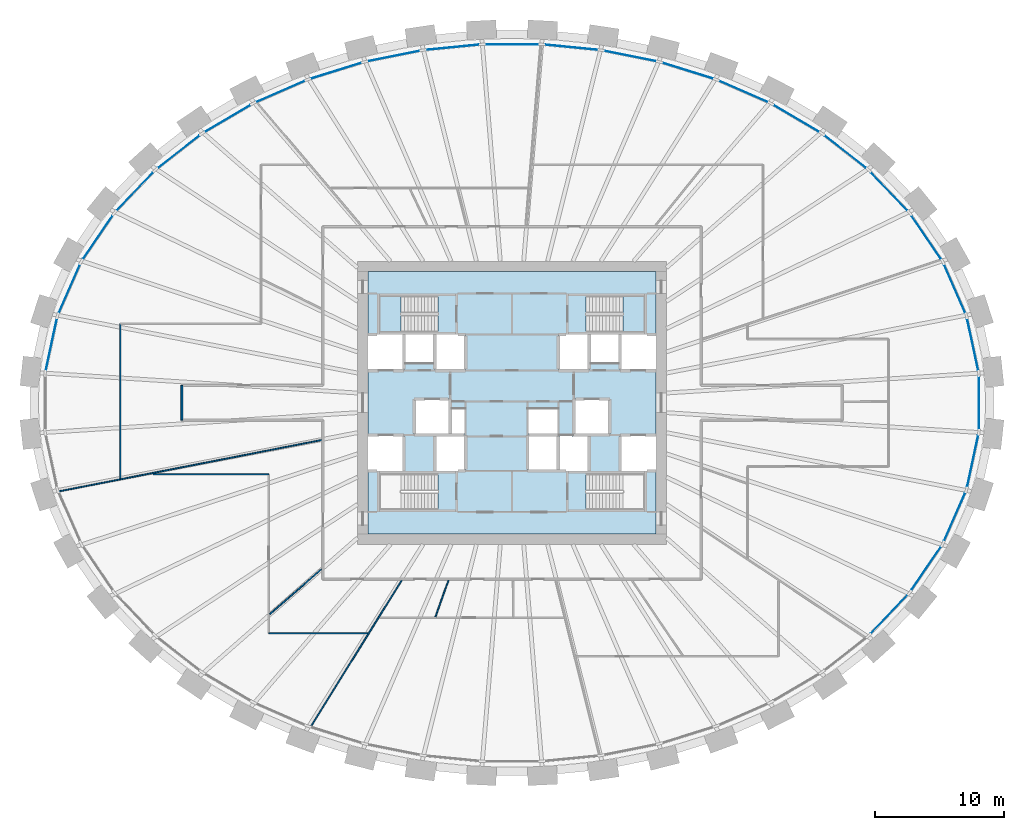
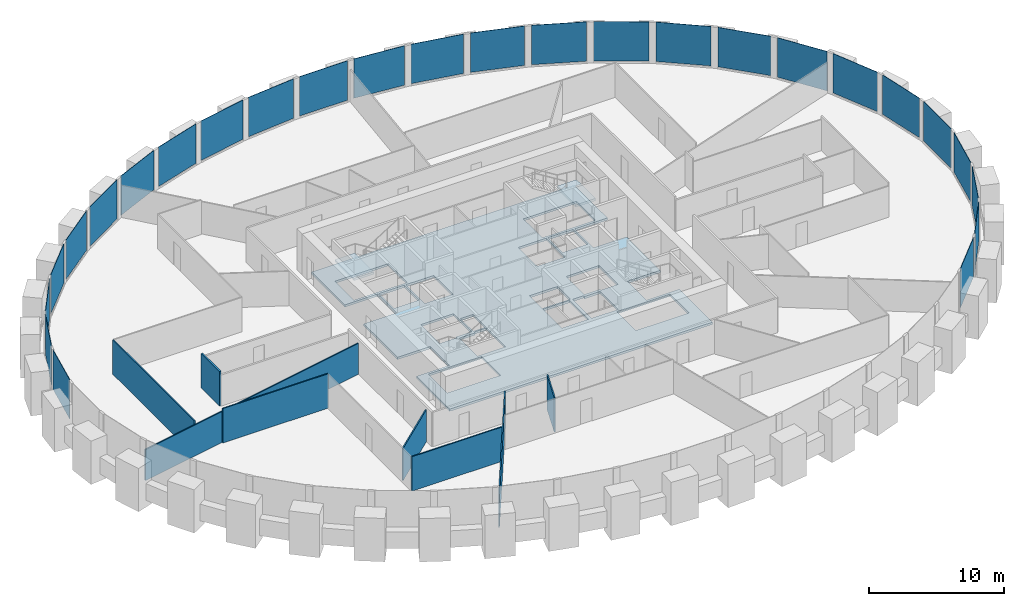
# One storey, part 5 of 10: 26 plates, 8 walls, 3 slabs, 3 elements without a shape of their own.
"""IFC4 building model written with IfcOpenShell, lengths in metres."""

import ifcopenshell
import ifcopenshell.guid

model = None  # the IFC model being written
_history = None  # IfcOwnerHistory: only IFC2X3 demands one
_inside = {}  # id of a spatial element -> (the spatial element, [elements in it])
_under = {}  # id of a project, library or spatial element -> (it, [spatial elements below it])
_declared = {}  # id of a project -> (the project, [libraries it declares])
_typed = {}  # id of a type object -> (the type object, [elements of that type])
_made_of = {}  # id of a material, layer set ... -> (it, [elements and type objects made of it])


def new_model(schema):
    """Start an empty IFC model of exactly this schema.

    Asked for "IFC4X3", IfcOpenShell would pick the latest addendum, in which some entities
    have other attributes; the version numbers below select the first issue.
    IFC2X3 requires an IfcOwnerHistory on every rooted entity: one is made here for all.
    """
    global model, _history
    if schema == "IFC4X3":
        model = ifcopenshell.file(schema_version=(4, 3, 0, 0))
    else:
        model = ifcopenshell.file(schema=schema)
    _inside.clear()
    _under.clear()
    _declared.clear()
    _typed.clear()
    _made_of.clear()
    _history = None
    if model.schema == "IFC2X3":
        org = make("IfcOrganization", Name="unknown")
        user = make(
            "IfcPersonAndOrganization",
            ThePerson=make("IfcPerson", FamilyName="unknown"),
            TheOrganization=org,
        )
        app = make(
            "IfcApplication",
            ApplicationDeveloper=org,
            Version="unknown",
            ApplicationFullName="unknown",
            ApplicationIdentifier="unknown",
        )
        _history = make(
            "IfcOwnerHistory",
            OwningUser=user,
            OwningApplication=app,
            ChangeAction="ADDED",
            CreationDate=0,
        )
    return model


def make(cls, **values):
    """One entity of the class cls with the attributes given. An attribute that is None is left unset."""
    return model.create_entity(
        cls, **{name: value for name, value in values.items() if value is not None}
    )


def rooted(cls, **values):
    """An entity with a GlobalId (a new one), such as an element, a storey or a relation."""
    return make(cls, GlobalId=ifcopenshell.guid.new(), OwnerHistory=_history, **values)


def si_unit(unit_type, name, prefix=None):
    """IfcSIUnit, for example si_unit("LENGTHUNIT", "METRE", prefix="MILLI")."""
    return make("IfcSIUnit", UnitType=unit_type, Prefix=prefix, Name=name)


def assignment(units):
    """IfcUnitAssignment: the units of a project."""
    return None if units is None else make("IfcUnitAssignment", Units=units)


def point(xyz):
    """IfcCartesianPoint."""
    return None if xyz is None else make("IfcCartesianPoint", Coordinates=xyz)


def direction(xyz):
    """IfcDirection."""
    return None if xyz is None else make("IfcDirection", DirectionRatios=xyz)


def frame(location, z_axis=None, x_axis=None):
    """IfcAxis2Placement3D, a coordinate frame: its origin and axes. An axis left out is left unset."""
    return make(
        "IfcAxis2Placement3D",
        Location=point(location),
        Axis=direction(z_axis),
        RefDirection=direction(x_axis),
    )


def frame_2d(location, x_axis=None):
    """IfcAxis2Placement2D, a coordinate frame in the plane: its origin and x axis."""
    return make(
        "IfcAxis2Placement2D", Location=point(location), RefDirection=direction(x_axis)
    )


def origin():
    """The frame at (0, 0, 0) with its axes left unset."""
    return frame((0.0, 0.0, 0.0))


def origin_2d():
    """The frame at (0, 0) in the plane with its x axis left unset."""
    return frame_2d((0.0, 0.0))


def place(relative_to, where):
    """IfcLocalPlacement: puts the frame where relative to a parent placement (None: the world)."""
    return make(
        "IfcLocalPlacement", PlacementRelTo=relative_to, RelativePlacement=where
    )


def context(
    kind, dimensions, precision=None, world=None, true_north=None, identifier=None
):
    """IfcGeometricRepresentationContext, for example the 3D "Model" context."""
    return make(
        "IfcGeometricRepresentationContext",
        ContextIdentifier=identifier,
        ContextType=kind,
        CoordinateSpaceDimension=dimensions,
        Precision=precision,
        WorldCoordinateSystem=world,
        TrueNorth=true_north,
    )


def subcontext(parent, identifier, kind, view, scale=None):
    """IfcGeometricRepresentationSubContext, for example "Body" below "Model"."""
    return make(
        "IfcGeometricRepresentationSubContext",
        ContextIdentifier=identifier,
        ContextType=kind,
        ParentContext=parent,
        TargetScale=scale,
        TargetView=view,
    )


def project(units=None, contexts=None):
    """IfcProject with its units and contexts."""
    return rooted(
        "IfcProject",
        Name="project",
        RepresentationContexts=contexts,
        UnitsInContext=assignment(units),
    )


def spatial(cls, under=None, at=None, **own):
    """A site, building, storey or space (cls), placed at a placement, below another one or the project."""
    s = rooted(cls, ObjectPlacement=at, **own)
    if under is not None:
        _under.setdefault(under.id(), (under, []))[1].append(s)
    return s


def polyline(points):
    """IfcPolyline through the points."""
    return make("IfcPolyline", Points=[point(p) for p in points])


def profile(cls, at=None, kind="AREA", **sizes):
    """A parametric profile (cls). Its sizes go by their IFC names, for example OverallWidth=200.0."""
    return make(cls, ProfileType=kind, Position=at, **sizes)


def rectangle(**sizes):
    """IfcRectangleProfileDef."""
    return profile("IfcRectangleProfileDef", **sizes)


def outline(outer, holes=None, kind="AREA"):
    """IfcArbitraryClosedProfileDef: a profile drawn as a closed curve; with holes, ...WithVoids."""
    if holes is None:
        return make("IfcArbitraryClosedProfileDef", ProfileType=kind, OuterCurve=outer)
    return make(
        "IfcArbitraryProfileDefWithVoids",
        ProfileType=kind,
        OuterCurve=outer,
        InnerCurves=holes,
    )


def extrude(swept, where, along, depth):
    """IfcExtrudedAreaSolid: the profile swept, set in the frame where, extruded along a direction by depth."""
    return make(
        "IfcExtrudedAreaSolid",
        SweptArea=swept,
        Position=where,
        ExtrudedDirection=direction(along),
        Depth=depth,
    )


def shape(context_of_items, identifier, shape_type, items):
    """IfcShapeRepresentation: the items that make up one representation, for example the "Body"."""
    return make(
        "IfcShapeRepresentation",
        ContextOfItems=context_of_items,
        RepresentationIdentifier=identifier,
        RepresentationType=shape_type,
        Items=items,
    )


def source(mapping_origin, context_of_items, identifier, shape_type, items):
    """IfcRepresentationMap: a shape defined once, which mapped items show again and again."""
    return make(
        "IfcRepresentationMap",
        MappingOrigin=mapping_origin,
        MappedRepresentation=shape(context_of_items, identifier, shape_type, items),
    )


def transform(
    local_origin,
    x_axis=None,
    y_axis=None,
    z_axis=None,
    scale=None,
    scale2=None,
    scale3=None,
    uniform=True,
):
    """IfcCartesianTransformationOperator3D, or its non-uniform kind. x_axis, y_axis, z_axis: its Axis1, 2, 3."""
    if uniform:
        return make(
            "IfcCartesianTransformationOperator3D",
            Axis1=direction(x_axis),
            Axis2=direction(y_axis),
            LocalOrigin=point(local_origin),
            Scale=scale,
            Axis3=direction(z_axis),
        )
    return make(
        "IfcCartesianTransformationOperator3DnonUniform",
        Axis1=direction(x_axis),
        Axis2=direction(y_axis),
        LocalOrigin=point(local_origin),
        Scale=scale,
        Axis3=direction(z_axis),
        Scale2=scale2,
        Scale3=scale3,
    )


def mapped(mapping_source, mapping_target):
    """IfcMappedItem: shows the shape of a source again, moved by a transform."""
    return make(
        "IfcMappedItem", MappingSource=mapping_source, MappingTarget=mapping_target
    )


def material(Name=None, Category=None):
    """IfcMaterial."""
    return make("IfcMaterial", Name=Name, Category=Category)


def layer(
    of_material, thickness, ventilated=None, Name=None, Category=None, Priority=None
):
    """IfcMaterialLayer: one layer of a wall or slab, of a material (None: an air gap)."""
    return make(
        "IfcMaterialLayer",
        Material=of_material,
        LayerThickness=thickness,
        IsVentilated=ventilated,
        Name=Name,
        Category=Category,
        Priority=Priority,
    )


def layer_set(layers, Name=None):
    """IfcMaterialLayerSet."""
    return make("IfcMaterialLayerSet", MaterialLayers=layers, LayerSetName=Name)


def made_of(thing, what):
    """Note that an element or type object is made of a material, layer set ...; save() writes the relation."""
    if what is not None:
        _made_of.setdefault(what.id(), (what, []))[1].append(thing)
    return thing


def type_object(cls, material=None, **own):
    """A type object (cls), such as IfcWallType, which elements share."""
    return made_of(rooted(cls, **own), material)


def element(
    cls,
    number,
    at=None,
    inside=None,
    cuts=None,
    type_object=None,
    material=None,
    context=None,
    identifier="Body",
    shape_type=None,
    held_by="IfcProductDefinitionShape",
    body=None,
    shapes=None,
    **own,
):
    """One element of the class cls, such as IfcWall. Its Tag is "e" and its number.

    at: its placement. inside: the storey or other place that contains it. cuts: it is an
    opening in that element (IfcRelVoidsElement). A single representation is given by context,
    identifier, shape_type and body (its items); several are given by shapes. held_by: the class
    of the entity that holds the representations. save() writes the other relations.
    """
    e = rooted(cls, Tag="e%d" % number, ObjectPlacement=at, **own)
    if body is not None:
        shapes = [shape(context, identifier, shape_type, body)]
    if shapes is not None:
        e.Representation = make(held_by, Representations=shapes)
    if inside is not None:
        _inside.setdefault(inside.id(), (inside, []))[1].append(e)
    if cuts is not None:
        rooted(
            "IfcRelVoidsElement", RelatingBuildingElement=cuts, RelatedOpeningElement=e
        )
    if type_object is not None:
        _typed.setdefault(type_object.id(), (type_object, []))[1].append(e)
    return made_of(e, material)


def aggregate(whole, parts):
    """IfcRelAggregates: a whole, such as a stair, and the parts it consists of."""
    return rooted("IfcRelAggregates", RelatingObject=whole, RelatedObjects=parts)


def save(model, path):
    """Write the relations noted so far, then the file.

    IfcRelAggregates (storeys below a building ...), IfcRelContainedInSpatialStructure (elements
    in a storey), IfcRelDefinesByType, IfcRelAssociatesMaterial and IfcRelDeclares: one each for
    every whole, place, type object, material and project.
    """
    for whole, parts in _under.values():
        aggregate(whole, parts)
    for where, things in _inside.values():
        rooted(
            "IfcRelContainedInSpatialStructure",
            RelatedElements=things,
            RelatingStructure=where,
        )
    for kind, things in _typed.values():
        rooted("IfcRelDefinesByType", RelatedObjects=things, RelatingType=kind)
    for what, things in _made_of.values():
        rooted("IfcRelAssociatesMaterial", RelatedObjects=things, RelatingMaterial=what)
    for by, libraries in _declared.values():
        rooted("IfcRelDeclares", RelatingContext=by, RelatedDefinitions=libraries)
    model.write(path)


model = new_model("IFC4")

# Units and contexts
model_context = context("Model", 3, precision=1e-05, world=origin(), true_north=direction((0.0, 1.0)))
body_context = subcontext(model_context, "Body", "Model", "MODEL_VIEW")
ifc_project = project(units=[si_unit("LENGTHUNIT", "METRE"), si_unit("AREAUNIT", "SQUARE_METRE"), si_unit("VOLUMEUNIT", "CUBIC_METRE"), si_unit("PLANEANGLEUNIT", "RADIAN"), si_unit("MASSUNIT", "GRAM", prefix="KILO")], contexts=[model_context])

# Site, building, storey
site_placement = place(None, origin())
site = spatial("IfcSite", under=ifc_project, at=site_placement, CompositionType="ELEMENT")
building_placement = place(site_placement, origin())
building = spatial("IfcBuilding", under=site, at=building_placement, Name="Embergate Tower", CompositionType="ELEMENT")
storey_placement = place(building_placement, frame((0.0, 0.0, 163.800048828125)))
storey = spatial("IfcBuildingStorey", under=building, at=storey_placement, Name="L36", CompositionType="ELEMENT", Elevation=163.800048828125)

# Curtain wall, plates
ifc_material_1 = material(Name="Aluminium and glass", Category="aluminium")
curtain_wall_type = type_object("IfcCurtainWallType", Name="Recessed office glazing", PredefinedType="NOTDEFINED", material=ifc_material_1)
curtain_wall_placement = place(storey_placement, origin())
curtain_wall = element("IfcCurtainWall", 1, at=curtain_wall_placement, inside=storey, type_object=curtain_wall_type, Name="Recessed office glazing ring", ObjectType="RECESSED OFFICE GLAZING", PredefinedType="USERDEFINED")
ifc_material_2 = material(Name="Triple glazing, low-emissivity coating", Category="glass")
ifc_layer_1 = layer(ifc_material_2, 0.035888671875)
ifc_layer_set_1 = layer_set([ifc_layer_1], Name="Triple glazing, low-emissivity coating")
plate_type = type_object("IfcPlateType", Name="Office glazing unit", PredefinedType="CURTAIN_PANEL", material=ifc_layer_set_1)
shared_shape_1 = source(origin(), body_context, "Body", "SweptSolid", [
    extrude(rectangle(XDim=4.05810546875, YDim=0.035888671875, at=origin_2d()), origin(), (0.0, 0.0, 1.0), 3.550048828125),
])
plate_1_placement = place(storey_placement, frame((35.7998046875, 4.525634765625, 0.14990234375), z_axis=(0.0, 0.0, 1.0), x_axis=(-0.210398391177, 0.97761573074, 0.0)))
plate_1 = element("IfcPlate", 2, at=plate_1_placement, type_object=plate_type, Name="CW panel 1.1", PredefinedType="CURTAIN_PANEL", context=body_context, shape_type="MappedRepresentation", body=[
    mapped(shared_shape_1, transform((0.0, 0.0, 0.0))),
])
plate_2_placement = place(storey_placement, frame((-35.7998046875, 4.525634765625, 0.14990234375), z_axis=(0.0, 0.0, 1.0), x_axis=(-0.210398391177, -0.97761573074, 0.0)))
plate_2 = element("IfcPlate", 3, at=plate_2_placement, type_object=plate_type, Name="CW panel 21.1", PredefinedType="CURTAIN_PANEL", context=body_context, shape_type="MappedRepresentation", body=[
    mapped(shared_shape_1, transform((0.0, 0.0, 0.0))),
])
plate_3_placement = place(storey_placement, frame((35.7998046875, -4.525634765625, 0.14990234375), z_axis=(0.0, 0.0, 1.0), x_axis=(0.210398391177, 0.97761573074, 0.0)))
plate_3 = element("IfcPlate", 4, at=plate_3_placement, type_object=plate_type, Name="CW panel 43.1", PredefinedType="CURTAIN_PANEL", context=body_context, shape_type="MappedRepresentation", body=[
    mapped(shared_shape_1, transform((0.0, 0.0, 0.0))),
])
shared_shape_2 = source(origin(), body_context, "Body", "SweptSolid", [
    extrude(rectangle(XDim=4.065185546875, YDim=0.035888671875, at=origin_2d()), origin(), (0.0, 0.0, 1.0), 3.550048828125),
])
plate_4_placement = place(storey_placement, frame((34.397216796875, 8.863037109375, 0.14990234375), z_axis=(0.0, 0.0, 1.0), x_axis=(-0.401652101157, 0.91579232888, 0.0)))
plate_4 = element("IfcPlate", 5, at=plate_4_placement, type_object=plate_type, Name="CW panel 2.1", PredefinedType="CURTAIN_PANEL", context=body_context, shape_type="MappedRepresentation", body=[
    mapped(shared_shape_2, transform((0.0, 0.0, 0.0))),
])
plate_5_placement = place(storey_placement, frame((-34.397216796875, 8.863037109375, 0.14990234375), z_axis=(0.0, 0.0, 1.0), x_axis=(-0.401652101157, -0.91579232888, 0.0)))
plate_5 = element("IfcPlate", 6, at=plate_5_placement, type_object=plate_type, Name="CW panel 20.1", PredefinedType="CURTAIN_PANEL", context=body_context, shape_type="MappedRepresentation", body=[
    mapped(shared_shape_2, transform((0.0, 0.0, 0.0))),
])
plate_6_placement = place(storey_placement, frame((34.397216796875, -8.863037109375, 0.14990234375), z_axis=(0.0, 0.0, 1.0), x_axis=(0.401652101157, 0.91579232888, 0.0)))
plate_6 = element("IfcPlate", 7, at=plate_6_placement, type_object=plate_type, Name="CW panel 42.1", PredefinedType="CURTAIN_PANEL", context=body_context, shape_type="MappedRepresentation", body=[
    mapped(shared_shape_2, transform((0.0, 0.0, 0.0))),
])
shared_shape_3 = source(origin(), body_context, "Body", "SweptSolid", [
    extrude(rectangle(XDim=4.073974609375, YDim=0.035888671875, at=origin_2d()), origin(), (0.0, 0.0, 1.0), 3.550048828125),
])
plate_7_placement = place(storey_placement, frame((32.184814453125, 12.86181640625, 0.14990234375), z_axis=(0.0, 0.0, 1.0), x_axis=(-0.562341741915, 0.826904931234, 0.0)))
plate_7 = element("IfcPlate", 8, at=plate_7_placement, type_object=plate_type, Name="CW panel 3.1", PredefinedType="CURTAIN_PANEL", context=body_context, shape_type="MappedRepresentation", body=[
    mapped(shared_shape_3, transform((0.0, 0.0, 0.0))),
])
plate_8_placement = place(storey_placement, frame((-32.184814453125, 12.86181640625, 0.14990234375), z_axis=(0.0, 0.0, 1.0), x_axis=(-0.562341741915, -0.826904931234, 0.0)))
plate_8 = element("IfcPlate", 9, at=plate_8_placement, type_object=plate_type, Name="CW panel 19.1", PredefinedType="CURTAIN_PANEL", context=body_context, shape_type="MappedRepresentation", body=[
    mapped(shared_shape_3, transform((0.0, 0.0, 0.0))),
])
plate_9_placement = place(storey_placement, frame((32.184814453125, -12.86181640625, 0.14990234375), z_axis=(0.0, 0.0, 1.0), x_axis=(0.562341741915, 0.826904931234, 0.0)))
plate_9 = element("IfcPlate", 10, at=plate_9_placement, type_object=plate_type, Name="CW panel 41.1", PredefinedType="CURTAIN_PANEL", context=body_context, shape_type="MappedRepresentation", body=[
    mapped(shared_shape_3, transform((0.0, 0.0, 0.0))),
])
shared_shape_4 = source(origin(), body_context, "Body", "SweptSolid", [
    extrude(rectangle(XDim=4.08251953125, YDim=0.035888671875, at=origin_2d()), origin(), (0.0, 0.0, 1.0), 3.550048828125),
])
plate_10_placement = place(storey_placement, frame((29.304931640625, 16.4267578125, 0.14990234375), z_axis=(0.0, 0.0, 1.0), x_axis=(-0.690135047526, 0.723680603703, 0.0)))
plate_10 = element("IfcPlate", 11, at=plate_10_placement, type_object=plate_type, Name="CW panel 4.1", PredefinedType="CURTAIN_PANEL", context=body_context, shape_type="MappedRepresentation", body=[
    mapped(shared_shape_4, transform((0.0, 0.0, 0.0))),
])
plate_11_placement = place(storey_placement, frame((-29.304931640625, 16.4267578125, 0.14990234375), z_axis=(0.0, 0.0, 1.0), x_axis=(-0.690135047526, -0.723680603703, 0.0)))
plate_11 = element("IfcPlate", 12, at=plate_11_placement, type_object=plate_type, Name="CW panel 18.1", PredefinedType="CURTAIN_PANEL", context=body_context, shape_type="MappedRepresentation", body=[
    mapped(shared_shape_4, transform((0.0, 0.0, 0.0))),
])
plate_12_placement = place(storey_placement, frame((29.304931640625, -16.4267578125, 0.14990234375), z_axis=(0.0, 0.0, 1.0), x_axis=(0.690135047526, 0.723680603703, 0.0)))
plate_12 = element("IfcPlate", 13, at=plate_12_placement, type_object=plate_type, Name="CW panel 40.1", PredefinedType="CURTAIN_PANEL", context=body_context, shape_type="MappedRepresentation", body=[
    mapped(shared_shape_4, transform((0.0, 0.0, 0.0))),
])
shared_shape_5 = source(origin(), body_context, "Body", "SweptSolid", [
    extrude(rectangle(XDim=4.090087890625, YDim=0.035888671875, at=origin_2d()), origin(), (0.0, 0.0, 1.0), 3.550048828125),
])
plate_13_placement = place(storey_placement, frame((25.899658203125, 19.510498046875, 0.14990234375), z_axis=(0.0, 0.0, 1.0), x_axis=(-0.788320119254, 0.615265300158, 0.0)))
plate_13 = element("IfcPlate", 14, at=plate_13_placement, type_object=plate_type, Name="CW panel 5.1", PredefinedType="CURTAIN_PANEL", context=body_context, shape_type="MappedRepresentation", body=[
    mapped(shared_shape_5, transform((0.0, 0.0, 0.0))),
])
plate_14_placement = place(storey_placement, frame((-25.899658203125, 19.510498046875, 0.14990234375), z_axis=(0.0, 0.0, 1.0), x_axis=(-0.788320119254, -0.615265300158, 0.0)))
plate_14 = element("IfcPlate", 15, at=plate_14_placement, type_object=plate_type, Name="CW panel 17.1", PredefinedType="CURTAIN_PANEL", context=body_context, shape_type="MappedRepresentation", body=[
    mapped(shared_shape_5, transform((0.0, 0.0, 0.0))),
])
shared_shape_6 = source(origin(), body_context, "Body", "SweptSolid", [
    extrude(rectangle(XDim=4.09619140625, YDim=0.035888671875, at=origin_2d()), origin(), (0.0, 0.0, 1.0), 3.550048828125),
])
plate_15_placement = place(storey_placement, frame((22.0927734375, 22.098388671875, 0.14990234375), z_axis=(0.0, 0.0, 1.0), x_axis=(-0.862053167811, 0.50681785275, 0.0)))
plate_15 = element("IfcPlate", 16, at=plate_15_placement, type_object=plate_type, Name="CW panel 6.1", PredefinedType="CURTAIN_PANEL", context=body_context, shape_type="MappedRepresentation", body=[
    mapped(shared_shape_6, transform((0.0, 0.0, 0.0))),
])
plate_16_placement = place(storey_placement, frame((-22.0927734375, 22.098388671875, 0.14990234375), z_axis=(0.0, 0.0, 1.0), x_axis=(-0.862053167811, -0.50681785275, 0.0)))
plate_16 = element("IfcPlate", 17, at=plate_16_placement, type_object=plate_type, Name="CW panel 16.1", PredefinedType="CURTAIN_PANEL", context=body_context, shape_type="MappedRepresentation", body=[
    mapped(shared_shape_6, transform((0.0, 0.0, 0.0))),
])
shared_shape_7 = source(origin(), body_context, "Body", "SweptSolid", [
    extrude(rectangle(XDim=4.1005859375, YDim=0.035888671875, at=origin_2d()), origin(), (0.0, 0.0, 1.0), 3.550048828125),
])
plate_17_placement = place(storey_placement, frame((17.986328125, 24.193603515625, 0.14990234375), z_axis=(0.0, 0.0, 1.0), x_axis=(-0.916236211741, 0.400638495772, 0.0)))
plate_17 = element("IfcPlate", 18, at=plate_17_placement, type_object=plate_type, Name="CW panel 7.1", PredefinedType="CURTAIN_PANEL", context=body_context, shape_type="MappedRepresentation", body=[
    mapped(shared_shape_7, transform((0.0, 0.0, 0.0))),
])
plate_18_placement = place(storey_placement, frame((-17.986328125, 24.193603515625, 0.14990234375), z_axis=(0.0, 0.0, 1.0), x_axis=(-0.916236211741, -0.400638495772, 0.0)))
plate_18 = element("IfcPlate", 19, at=plate_18_placement, type_object=plate_type, Name="CW panel 15.1", PredefinedType="CURTAIN_PANEL", context=body_context, shape_type="MappedRepresentation", body=[
    mapped(shared_shape_7, transform((0.0, 0.0, 0.0))),
])
shared_shape_8 = source(origin(), body_context, "Body", "SweptSolid", [
    extrude(rectangle(XDim=4.10400390625, YDim=0.035888671875, at=origin_2d()), origin(), (0.0, 0.0, 1.0), 3.550048828125),
])
plate_19_placement = place(storey_placement, frame((13.662109375, 25.806640625, 0.14990234375), z_axis=(0.0, 0.0, 1.0), x_axis=(-0.954772217174, 0.297338213676, 0.0)))
plate_19 = element("IfcPlate", 20, at=plate_19_placement, type_object=plate_type, Name="CW panel 8.1", PredefinedType="CURTAIN_PANEL", context=body_context, shape_type="MappedRepresentation", body=[
    mapped(shared_shape_8, transform((0.0, 0.0, 0.0))),
])
plate_20_placement = place(storey_placement, frame((-13.662109375, 25.806640625, 0.14990234375), z_axis=(0.0, 0.0, 1.0), x_axis=(-0.954772217174, -0.297338213676, 0.0)))
plate_20 = element("IfcPlate", 21, at=plate_20_placement, type_object=plate_type, Name="CW panel 14.1", PredefinedType="CURTAIN_PANEL", context=body_context, shape_type="MappedRepresentation", body=[
    mapped(shared_shape_8, transform((0.0, 0.0, 0.0))),
])
shared_shape_9 = source(origin(), body_context, "Body", "SweptSolid", [
    extrude(rectangle(XDim=4.106201171875, YDim=0.035888671875, at=origin_2d()), origin(), (0.0, 0.0, 1.0), 3.550048828125),
])
plate_21_placement = place(storey_placement, frame((9.18701171875, 26.948974609375, 0.14990234375), z_axis=(0.0, 0.0, 1.0), x_axis=(-0.980475907409, 0.196639250889, 0.0)))
plate_21 = element("IfcPlate", 22, at=plate_21_placement, type_object=plate_type, Name="CW panel 9.1", PredefinedType="CURTAIN_PANEL", context=body_context, shape_type="MappedRepresentation", body=[
    mapped(shared_shape_9, transform((0.0, 0.0, 0.0))),
])
plate_22_placement = place(storey_placement, frame((-9.18701171875, 26.948974609375, 0.14990234375), z_axis=(0.0, 0.0, 1.0), x_axis=(-0.980475907409, -0.196639250889, 0.0)))
plate_22 = element("IfcPlate", 23, at=plate_22_placement, type_object=plate_type, Name="CW panel 13.1", PredefinedType="CURTAIN_PANEL", context=body_context, shape_type="MappedRepresentation", body=[
    mapped(shared_shape_9, transform((0.0, 0.0, 0.0))),
])
shared_shape_10 = source(origin(), body_context, "Body", "SweptSolid", [
    extrude(rectangle(XDim=4.107421875, YDim=0.035888671875, at=origin_2d()), origin(), (0.0, 0.0, 1.0), 3.550048828125),
])
plate_23_placement = place(storey_placement, frame((4.616455078125, 27.630126953125, 0.14990234375), z_axis=(0.0, 0.0, 1.0), x_axis=(-0.995203184788, 0.097829550688, 0.0)))
plate_23 = element("IfcPlate", 24, at=plate_23_placement, type_object=plate_type, Name="CW panel 10.1", PredefinedType="CURTAIN_PANEL", context=body_context, shape_type="MappedRepresentation", body=[
    mapped(shared_shape_10, transform((0.0, 0.0, 0.0))),
])
plate_24_placement = place(storey_placement, frame((-4.616455078125, 27.630126953125, 0.14990234375), z_axis=(0.0, 0.0, 1.0), x_axis=(-0.995203184788, -0.097829550688, 0.0)))
plate_24 = element("IfcPlate", 25, at=plate_24_placement, type_object=plate_type, Name="CW panel 12.1", PredefinedType="CURTAIN_PANEL", context=body_context, shape_type="MappedRepresentation", body=[
    mapped(shared_shape_10, transform((0.0, 0.0, 0.0))),
])
shared_shape_11 = source(origin(), body_context, "Body", "SweptSolid", [
    extrude(rectangle(XDim=4.10791015625, YDim=0.035888671875, at=origin_2d()), origin(), (0.0, 0.0, 1.0), 3.550048828125),
])
plate_25_placement = place(storey_placement, frame((0.0, 27.8564453125, 0.14990234375), z_axis=(0.0, 0.0, 1.0), x_axis=(-1.0, 0.0, 0.0)))
plate_25 = element("IfcPlate", 26, at=plate_25_placement, type_object=plate_type, Name="CW panel 11.1", PredefinedType="CURTAIN_PANEL", context=body_context, shape_type="MappedRepresentation", body=[
    mapped(shared_shape_11, transform((0.0, 0.0, 0.0))),
])
shared_shape_12 = source(origin(), body_context, "Body", "SweptSolid", [
    extrude(rectangle(XDim=4.055419921875, YDim=0.035888671875, at=origin_2d()), origin(), (0.0, 0.0, 1.0), 3.550048828125),
])
plate_26_placement = place(storey_placement, frame((36.281494140625, 0.0, 0.14990234375), z_axis=(0.0, 0.0, 1.0), x_axis=(0.0, 1.0, 0.0)))
plate_26 = element("IfcPlate", 27, at=plate_26_placement, type_object=plate_type, Name="CW panel 44.1", PredefinedType="CURTAIN_PANEL", context=body_context, shape_type="MappedRepresentation", body=[
    mapped(shared_shape_12, transform((0.0, 0.0, 0.0))),
])
aggregate(curtain_wall, [plate_1, plate_4, plate_7, plate_10, plate_13, plate_15, plate_17, plate_19, plate_21, plate_23, plate_25, plate_24, plate_22, plate_20, plate_18, plate_16, plate_14, plate_11, plate_8, plate_5, plate_2, plate_12, plate_9, plate_6, plate_3, plate_26])

# Stair, slab
ifc_material_3 = material(Name="Exit stair")
stair_type = type_object("IfcStairType", Name="Exit stair", PredefinedType="HALF_TURN_STAIR", material=ifc_material_3)
stair_1_placement = place(storey_placement, origin())
stair_1 = element("IfcStair", 28, at=stair_1_placement, inside=storey, type_object=stair_type, Name="L36 Exit stair 1", PredefinedType="HALF_TURN_STAIR")
ifc_material_4 = material(Name="Concrete C40", Category="concrete")
ifc_layer_2 = layer(ifc_material_4, 0.199951171875)
ifc_layer_set_2 = layer_set([ifc_layer_2], Name="Concrete C40")
slab_type_1 = type_object("IfcSlabType", Name="Stair landing reinforced concrete", PredefinedType="LANDING", material=ifc_layer_set_2)
shared_shape_13 = source(origin(), body_context, "Body", "SweptSolid", [
    extrude(outline(polyline([(0.0, 0.0), (1.68994140625, 0.0), (1.68994140625, 2.800048828125), (0.0, 2.800048828125), (0.0, 0.0)])), origin(), (0.0, 0.0, 1.0), 0.199951171875),
])
slab_1_placement = place(storey_placement, frame((-10.300048828125, 5.5, 1.75)))
slab_1 = element("IfcSlab", 29, at=slab_1_placement, type_object=slab_type_1, Name="ST1 landing 1", PredefinedType="LANDING", context=body_context, shape_type="MappedRepresentation", body=[
    mapped(shared_shape_13, transform((0.0, 0.0, 0.0))),
])
aggregate(stair_1, [slab_1])

stair_2_placement = place(storey_placement, origin())
stair_2 = element("IfcStair", 30, at=stair_2_placement, inside=storey, type_object=stair_type, Name="L36 Exit stair 2", PredefinedType="HALF_TURN_STAIR")
slab_2_placement = place(storey_placement, frame((8.610107421875, 5.5, 1.75)))
slab_2 = element("IfcSlab", 31, at=slab_2_placement, type_object=slab_type_1, Name="ST2 landing 1", PredefinedType="LANDING", context=body_context, shape_type="MappedRepresentation", body=[
    mapped(shared_shape_13, transform((0.0, 0.0, 0.0))),
])
aggregate(stair_2, [slab_2])

# Slab
ifc_layer_3 = layer(ifc_material_4, 0.199951171875)
ifc_layer_set_3 = layer_set([ifc_layer_3], Name="Concrete C40")
slab_type_2 = type_object("IfcSlabType", Name="Core floor slab 200 reinforced concrete", PredefinedType="FLOOR", material=ifc_layer_set_3)
shared_shape_14 = source(origin(), body_context, "Body", "SweptSolid", [
    extrude(outline(polyline([(0.0, 0.0), (22.39990234375, 0.0), (22.39990234375, 4.89990234375), (19.599853515625, 4.89990234375), (19.599853515625, 7.699951171875), (22.39990234375, 7.699951171875), (22.39990234375, 12.699951171875), (19.599853515625, 12.699951171875), (19.599853515625, 15.5), (22.39990234375, 15.5), (22.39990234375, 20.39990234375), (0.0, 20.39990234375), (0.0, 15.5), (2.800048828125, 15.5), (2.800048828125, 12.699951171875), (0.0, 12.699951171875), (0.0, 7.699951171875), (2.800048828125, 7.699951171875), (2.800048828125, 4.89990234375), (0.0, 4.89990234375), (0.0, 0.0)]), holes=[polyline([(0.89990234375, 1.89990234375), (0.89990234375, 4.699951171875), (5.43994140625, 4.699951171875), (5.43994140625, 1.89990234375), (0.89990234375, 1.89990234375)]), polyline([(16.9599609375, 1.89990234375), (16.9599609375, 4.699951171875), (21.5, 4.699951171875), (21.5, 1.89990234375), (16.9599609375, 1.89990234375)]), polyline([(5.199951171875, 4.89990234375), (5.199951171875, 7.574951171875), (6.52490234375, 7.574951171875), (6.52490234375, 7.699951171875), (7.599853515625, 7.699951171875), (7.599853515625, 4.89990234375), (5.199951171875, 4.89990234375)]), polyline([(12.39990234375, 4.89990234375), (12.39990234375, 7.699951171875), (14.675048828125, 7.699951171875), (14.675048828125, 4.89990234375), (12.39990234375, 4.89990234375)]), polyline([(14.925048828125, 4.89990234375), (14.925048828125, 7.699951171875), (15.875, 7.699951171875), (15.875, 7.574951171875), (17.199951171875, 7.574951171875), (17.199951171875, 4.89990234375), (14.925048828125, 4.89990234375)]), polyline([(3.599853515625, 7.699951171875), (3.599853515625, 10.5), (6.39990234375, 10.5), (6.39990234375, 7.824951171875), (5.074951171875, 7.824951171875), (5.074951171875, 7.699951171875), (3.599853515625, 7.699951171875)]), polyline([(17.324951171875, 7.699951171875), (17.324951171875, 7.824951171875), (16.0, 7.824951171875), (16.0, 10.5), (18.800048828125, 10.5), (18.800048828125, 7.699951171875), (17.324951171875, 7.699951171875)]), polyline([(6.52490234375, 7.824951171875), (6.52490234375, 9.699951171875), (7.599853515625, 9.699951171875), (7.599853515625, 7.824951171875), (6.52490234375, 7.824951171875)]), polyline([(12.39990234375, 7.824951171875), (12.39990234375, 9.699951171875), (14.800048828125, 9.699951171875), (14.800048828125, 7.824951171875), (14.675048828125, 7.824951171875), (12.39990234375, 7.824951171875)]), polyline([(5.199951171875, 12.699951171875), (5.199951171875, 15.5), (7.599853515625, 15.5), (7.599853515625, 12.699951171875), (5.199951171875, 12.699951171875)]), polyline([(14.800048828125, 12.699951171875), (14.800048828125, 15.5), (17.199951171875, 15.5), (17.199951171875, 12.699951171875), (14.800048828125, 12.699951171875)]), polyline([(2.925048828125, 13.300048828125), (2.925048828125, 15.5), (5.074951171875, 15.5), (5.074951171875, 13.300048828125), (2.925048828125, 13.300048828125)]), polyline([(17.324951171875, 13.300048828125), (17.324951171875, 15.5), (19.474853515625, 15.5), (19.474853515625, 13.300048828125), (17.324951171875, 13.300048828125)]), polyline([(0.89990234375, 15.699951171875), (0.89990234375, 18.5), (5.43994140625, 18.5), (5.43994140625, 15.699951171875), (0.89990234375, 15.699951171875)]), polyline([(16.9599609375, 15.699951171875), (16.9599609375, 18.5), (21.5, 18.5), (21.5, 15.699951171875), (16.9599609375, 15.699951171875)])]), origin(), (0.0, 0.0, 1.0), 0.199951171875),
])
slab_3_placement = place(storey_placement, frame((-11.199951171875, -10.199951171875, -0.199951171875)))
element("IfcSlab", 32, at=slab_3_placement, inside=storey, type_object=slab_type_2, Name="Core floor slab", PredefinedType="FLOOR", context=body_context, shape_type="MappedRepresentation", body=[
    mapped(shared_shape_14, transform((0.0, 0.0, 0.0))),
])

# Walls
ifc_material_5 = material(Name="Corridor wall dry-lined 150")
ifc_layer_4 = layer(ifc_material_5, 0.14990234375)
ifc_layer_set_4 = layer_set([ifc_layer_4], Name="Corridor wall dry-lined 150")
wall_type_1 = type_object("IfcWallType", Name="Corridor wall dry-lined 150", PredefinedType="PARTITIONING", material=ifc_layer_set_4)
shared_shape_15 = source(origin(), body_context, "Body", "SweptSolid", [
    extrude(rectangle(XDim=2.7001953125, YDim=0.14990234375, at=frame_2d((1.35009765625, 0.0))), origin(), (0.0, 0.0, 1.0), 3.099853515625),
])
wall_1_placement = place(storey_placement, frame((-25.64990234375, -1.35009765625, 0.0), z_axis=(0.0, 0.0, 1.0), x_axis=(0.0, 1.0, 0.0)))
element("IfcWall", 33, at=wall_1_placement, inside=storey, type_object=wall_type_1, Name="IP-2 wall", PredefinedType="PARTITIONING", context=body_context, shape_type="MappedRepresentation", body=[
    mapped(shared_shape_15, transform((0.0, 0.0, 0.0))),
])
ifc_material_6 = material(Name="Partition dry-lined 100")
ifc_layer_5 = layer(ifc_material_6, 0.10009765625)
ifc_layer_set_5 = layer_set([ifc_layer_5], Name="Partition dry-lined 100")
wall_type_2 = type_object("IfcWallType", Name="Partition dry-lined 100", PredefinedType="PARTITIONING", material=ifc_layer_set_5)
shared_shape_16 = source(origin(), body_context, "Body", "SweptSolid", [
    extrude(rectangle(XDim=5.321044921875, YDim=0.10009765625, at=frame_2d((2.66064453125, 0.0))), origin(), (0.0, 0.0, 1.0), 2.89990234375),
])
wall_2_placement = place(storey_placement, frame((-14.80810546875, -12.923095703125, 0.0), z_axis=(0.0, 0.0, 1.0), x_axis=(-0.753383328619, -0.65758159962, 0.0)))
element("IfcWall", 34, at=wall_2_placement, inside=storey, type_object=wall_type_2, Name="IP-1 wall", PredefinedType="PARTITIONING", context=body_context, shape_type="MappedRepresentation", body=[
    mapped(shared_shape_16, transform((0.0, 0.0, 0.0))),
])
shared_shape_17 = source(origin(), body_context, "Body", "SweptSolid", [
    extrude(rectangle(XDim=8.984130859375, YDim=0.10009765625, at=frame_2d((4.4921875, 0.0))), origin(), (0.0, 0.0, 1.0), 3.099853515625),
])
wall_3_placement = place(storey_placement, frame((-18.89990234375, -5.550048828125, 0.0), z_axis=(0.0, 0.0, 1.0), x_axis=(-1.0, 0.0, 0.0)))
element("IfcWall", 35, at=wall_3_placement, inside=storey, type_object=wall_type_2, Name="IP-1 wall", PredefinedType="PARTITIONING", context=body_context, shape_type="MappedRepresentation", body=[
    mapped(shared_shape_17, transform((0.0, 0.0, 0.0))),
])
shared_shape_18 = source(origin(), body_context, "Body", "SweptSolid", [
    extrude(rectangle(XDim=20.863525390625, YDim=0.10009765625, at=frame_2d((10.431640625, 0.0))), origin(), (0.0, 0.0, 1.0), 2.800048828125),
])
wall_4_placement = place(storey_placement, frame((-14.784912109375, -2.888916015625, 0.0), z_axis=(0.0, 0.0, 1.0), x_axis=(-0.981428685666, -0.19182735715, 0.0)))
element("IfcWall", 36, at=wall_4_placement, inside=storey, type_object=wall_type_2, Name="IP-1 wall", PredefinedType="PARTITIONING", context=body_context, shape_type="MappedRepresentation", body=[
    mapped(shared_shape_18, transform((0.0, 0.0, 0.0))),
])
shared_shape_19 = source(origin(), body_context, "Body", "SweptSolid", [
    extrude(rectangle(XDim=13.40380859375, YDim=0.10009765625, at=frame_2d((6.701904296875, 0.0))), origin(), (0.0, 0.0, 1.0), 2.89990234375),
])
wall_5_placement = place(storey_placement, frame((-8.575927734375, -13.801025390625, 0.0), z_axis=(0.0, 0.0, 1.0), x_axis=(-0.527762253898, -0.849392137567, 0.0)))
element("IfcWall", 37, at=wall_5_placement, inside=storey, type_object=wall_type_2, Name="IP-1 wall", PredefinedType="PARTITIONING", context=body_context, shape_type="MappedRepresentation", body=[
    mapped(shared_shape_19, transform((0.0, 0.0, 0.0))),
])
shared_shape_20 = source(origin(), body_context, "Body", "SweptSolid", [
    extrude(rectangle(XDim=7.68701171875, YDim=0.10009765625, at=frame_2d((3.843505859375, 0.0))), origin(), (0.0, 0.0, 1.0), 3.099853515625),
])
wall_6_placement = place(storey_placement, frame((-11.212890625, -17.89990234375, 0.0), z_axis=(0.0, 0.0, 1.0), x_axis=(-1.0, 0.0, 0.0)))
element("IfcWall", 38, at=wall_6_placement, inside=storey, type_object=wall_type_2, Name="IP-1 wall", PredefinedType="PARTITIONING", context=body_context, shape_type="MappedRepresentation", body=[
    mapped(shared_shape_20, transform((0.0, 0.0, 0.0))),
])
shared_shape_21 = source(origin(), body_context, "Body", "SweptSolid", [
    extrude(rectangle(XDim=3.017578125, YDim=0.10009765625, at=frame_2d((1.5087890625, 0.0))), origin(), (0.0, 0.0, 1.0), 3.099853515625),
])
wall_7_placement = place(storey_placement, frame((-4.93505859375, -13.7919921875, 0.0), z_axis=(0.0, 0.0, 1.0), x_axis=(-0.336976984183, -0.94151288474, 0.0)))
element("IfcWall", 39, at=wall_7_placement, inside=storey, type_object=wall_type_2, Name="IP-1 wall", PredefinedType="PARTITIONING", context=body_context, shape_type="MappedRepresentation", body=[
    mapped(shared_shape_21, transform((0.0, 0.0, 0.0))),
])
shared_shape_22 = source(origin(), body_context, "Body", "SweptSolid", [
    extrude(rectangle(XDim=12.039794921875, YDim=0.10009765625, at=frame_2d((6.02001953125, 0.0))), origin(), (0.0, 0.0, 1.0), 3.099853515625),
])
wall_8_placement = place(storey_placement, frame((-30.449951171875, 6.14990234375, 0.0), z_axis=(0.0, 0.0, 1.0), x_axis=(0.0, -1.0, 0.0)))
element("IfcWall", 40, at=wall_8_placement, inside=storey, type_object=wall_type_2, Name="IP-1 wall", PredefinedType="PARTITIONING", context=body_context, shape_type="MappedRepresentation", body=[
    mapped(shared_shape_22, transform((0.0, 0.0, 0.0))),
])

save(model, "model.ifc")
